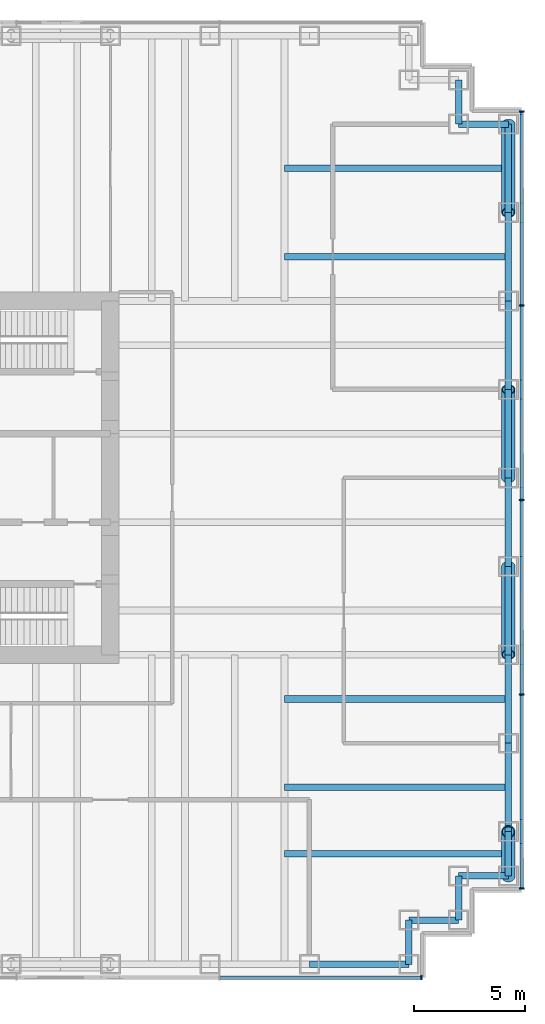
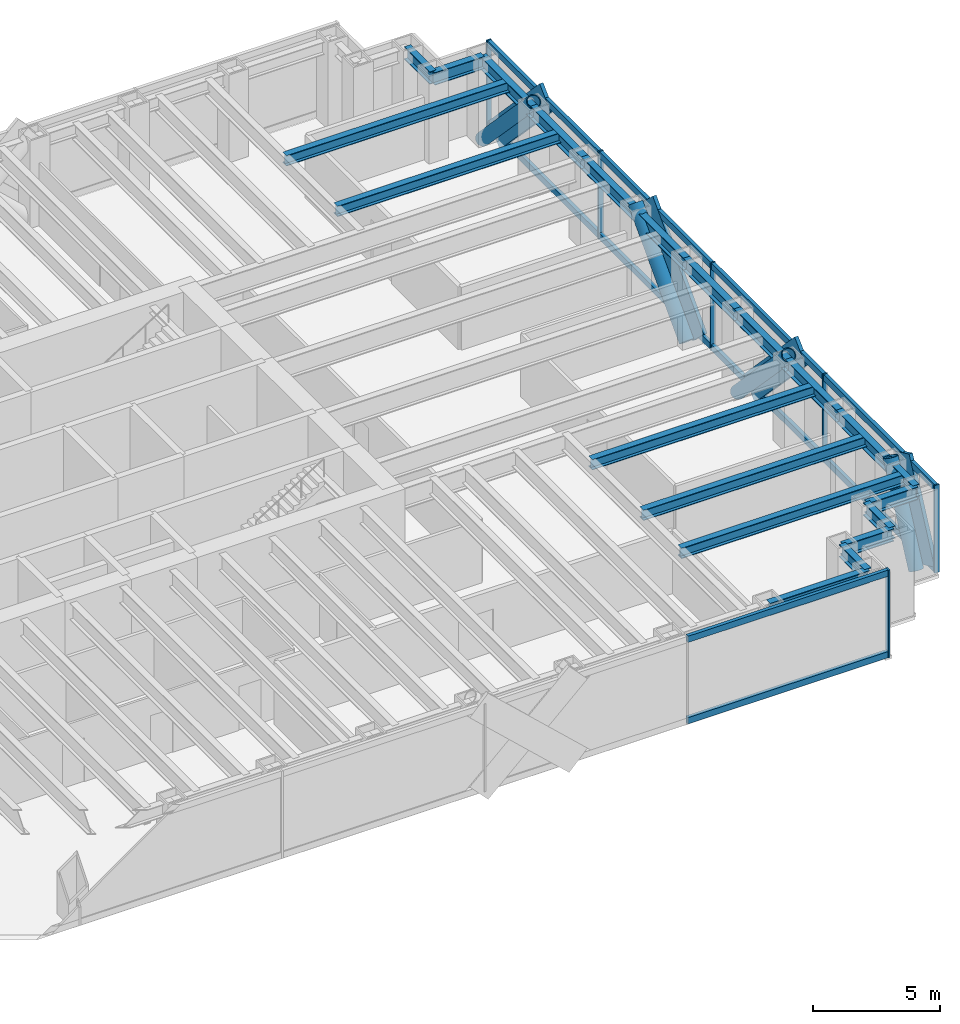
# One storey, part 7 of 15: 24 members, 21 beams, 2 elements without a shape of their own.
"""IFC4 building model written with IfcOpenShell, lengths in metres."""

import ifcopenshell
import ifcopenshell.guid

model = None  # the IFC model being written
_history = None  # IfcOwnerHistory: only IFC2X3 demands one
_inside = {}  # id of a spatial element -> (the spatial element, [elements in it])
_under = {}  # id of a project, library or spatial element -> (it, [spatial elements below it])
_declared = {}  # id of a project -> (the project, [libraries it declares])
_typed = {}  # id of a type object -> (the type object, [elements of that type])
_made_of = {}  # id of a material, layer set ... -> (it, [elements and type objects made of it])


def new_model(schema):
    """Start an empty IFC model of exactly this schema.

    Asked for "IFC4X3", IfcOpenShell would pick the latest addendum, in which some entities
    have other attributes; the version numbers below select the first issue.
    IFC2X3 requires an IfcOwnerHistory on every rooted entity: one is made here for all.
    """
    global model, _history
    if schema == "IFC4X3":
        model = ifcopenshell.file(schema_version=(4, 3, 0, 0))
    else:
        model = ifcopenshell.file(schema=schema)
    _inside.clear()
    _under.clear()
    _declared.clear()
    _typed.clear()
    _made_of.clear()
    _history = None
    if model.schema == "IFC2X3":
        org = make("IfcOrganization", Name="unknown")
        user = make(
            "IfcPersonAndOrganization",
            ThePerson=make("IfcPerson", FamilyName="unknown"),
            TheOrganization=org,
        )
        app = make(
            "IfcApplication",
            ApplicationDeveloper=org,
            Version="unknown",
            ApplicationFullName="unknown",
            ApplicationIdentifier="unknown",
        )
        _history = make(
            "IfcOwnerHistory",
            OwningUser=user,
            OwningApplication=app,
            ChangeAction="ADDED",
            CreationDate=0,
        )
    return model


def make(cls, **values):
    """One entity of the class cls with the attributes given. An attribute that is None is left unset."""
    return model.create_entity(
        cls, **{name: value for name, value in values.items() if value is not None}
    )


def rooted(cls, **values):
    """An entity with a GlobalId (a new one), such as an element, a storey or a relation."""
    return make(cls, GlobalId=ifcopenshell.guid.new(), OwnerHistory=_history, **values)


def si_unit(unit_type, name, prefix=None):
    """IfcSIUnit, for example si_unit("LENGTHUNIT", "METRE", prefix="MILLI")."""
    return make("IfcSIUnit", UnitType=unit_type, Prefix=prefix, Name=name)


def assignment(units):
    """IfcUnitAssignment: the units of a project."""
    return None if units is None else make("IfcUnitAssignment", Units=units)


def point(xyz):
    """IfcCartesianPoint."""
    return None if xyz is None else make("IfcCartesianPoint", Coordinates=xyz)


def direction(xyz):
    """IfcDirection."""
    return None if xyz is None else make("IfcDirection", DirectionRatios=xyz)


def frame(location, z_axis=None, x_axis=None):
    """IfcAxis2Placement3D, a coordinate frame: its origin and axes. An axis left out is left unset."""
    return make(
        "IfcAxis2Placement3D",
        Location=point(location),
        Axis=direction(z_axis),
        RefDirection=direction(x_axis),
    )


def frame_2d(location, x_axis=None):
    """IfcAxis2Placement2D, a coordinate frame in the plane: its origin and x axis."""
    return make(
        "IfcAxis2Placement2D", Location=point(location), RefDirection=direction(x_axis)
    )


def origin():
    """The frame at (0, 0, 0) with its axes left unset."""
    return frame((0.0, 0.0, 0.0))


def origin_2d():
    """The frame at (0, 0) in the plane with its x axis left unset."""
    return frame_2d((0.0, 0.0))


def place(relative_to, where):
    """IfcLocalPlacement: puts the frame where relative to a parent placement (None: the world)."""
    return make(
        "IfcLocalPlacement", PlacementRelTo=relative_to, RelativePlacement=where
    )


def context(
    kind, dimensions, precision=None, world=None, true_north=None, identifier=None
):
    """IfcGeometricRepresentationContext, for example the 3D "Model" context."""
    return make(
        "IfcGeometricRepresentationContext",
        ContextIdentifier=identifier,
        ContextType=kind,
        CoordinateSpaceDimension=dimensions,
        Precision=precision,
        WorldCoordinateSystem=world,
        TrueNorth=true_north,
    )


def subcontext(parent, identifier, kind, view, scale=None):
    """IfcGeometricRepresentationSubContext, for example "Body" below "Model"."""
    return make(
        "IfcGeometricRepresentationSubContext",
        ContextIdentifier=identifier,
        ContextType=kind,
        ParentContext=parent,
        TargetScale=scale,
        TargetView=view,
    )


def project(units=None, contexts=None):
    """IfcProject with its units and contexts."""
    return rooted(
        "IfcProject",
        Name="project",
        RepresentationContexts=contexts,
        UnitsInContext=assignment(units),
    )


def spatial(cls, under=None, at=None, **own):
    """A site, building, storey or space (cls), placed at a placement, below another one or the project."""
    s = rooted(cls, ObjectPlacement=at, **own)
    if under is not None:
        _under.setdefault(under.id(), (under, []))[1].append(s)
    return s


def profile(cls, at=None, kind="AREA", **sizes):
    """A parametric profile (cls). Its sizes go by their IFC names, for example OverallWidth=200.0."""
    return make(cls, ProfileType=kind, Position=at, **sizes)


def rectangle(**sizes):
    """IfcRectangleProfileDef."""
    return profile("IfcRectangleProfileDef", **sizes)


def hollow_circle(**sizes):
    """IfcCircleHollowProfileDef."""
    return profile("IfcCircleHollowProfileDef", **sizes)


def i_section(**sizes):
    """IfcIShapeProfileDef."""
    return profile("IfcIShapeProfileDef", **sizes)


def extrude(swept, where, along, depth):
    """IfcExtrudedAreaSolid: the profile swept, set in the frame where, extruded along a direction by depth."""
    return make(
        "IfcExtrudedAreaSolid",
        SweptArea=swept,
        Position=where,
        ExtrudedDirection=direction(along),
        Depth=depth,
    )


def shape(context_of_items, identifier, shape_type, items):
    """IfcShapeRepresentation: the items that make up one representation, for example the "Body"."""
    return make(
        "IfcShapeRepresentation",
        ContextOfItems=context_of_items,
        RepresentationIdentifier=identifier,
        RepresentationType=shape_type,
        Items=items,
    )


def material(Name=None, Category=None):
    """IfcMaterial."""
    return make("IfcMaterial", Name=Name, Category=Category)


def material_profile(
    of_material, cross_section, Name=None, Category=None, Priority=None
):
    """IfcMaterialProfile: a cross section and its material."""
    return make(
        "IfcMaterialProfile",
        Name=Name,
        Material=of_material,
        Profile=cross_section,
        Priority=Priority,
        Category=Category,
    )


def profile_set(profiles, Name=None, composite=None):
    """IfcMaterialProfileSet."""
    return make(
        "IfcMaterialProfileSet",
        Name=Name,
        MaterialProfiles=profiles,
        CompositeProfile=composite,
    )


def made_of(thing, what):
    """Note that an element or type object is made of a material, layer set ...; save() writes the relation."""
    if what is not None:
        _made_of.setdefault(what.id(), (what, []))[1].append(thing)
    return thing


def type_object(cls, material=None, **own):
    """A type object (cls), such as IfcWallType, which elements share."""
    return made_of(rooted(cls, **own), material)


def element(
    cls,
    number,
    at=None,
    inside=None,
    cuts=None,
    type_object=None,
    material=None,
    context=None,
    identifier="Body",
    shape_type=None,
    held_by="IfcProductDefinitionShape",
    body=None,
    shapes=None,
    **own,
):
    """One element of the class cls, such as IfcWall. Its Tag is "e" and its number.

    at: its placement. inside: the storey or other place that contains it. cuts: it is an
    opening in that element (IfcRelVoidsElement). A single representation is given by context,
    identifier, shape_type and body (its items); several are given by shapes. held_by: the class
    of the entity that holds the representations. save() writes the other relations.
    """
    e = rooted(cls, Tag="e%d" % number, ObjectPlacement=at, **own)
    if body is not None:
        shapes = [shape(context, identifier, shape_type, body)]
    if shapes is not None:
        e.Representation = make(held_by, Representations=shapes)
    if inside is not None:
        _inside.setdefault(inside.id(), (inside, []))[1].append(e)
    if cuts is not None:
        rooted(
            "IfcRelVoidsElement", RelatingBuildingElement=cuts, RelatedOpeningElement=e
        )
    if type_object is not None:
        _typed.setdefault(type_object.id(), (type_object, []))[1].append(e)
    return made_of(e, material)


def aggregate(whole, parts):
    """IfcRelAggregates: a whole, such as a stair, and the parts it consists of."""
    return rooted("IfcRelAggregates", RelatingObject=whole, RelatedObjects=parts)


def save(model, path):
    """Write the relations noted so far, then the file.

    IfcRelAggregates (storeys below a building ...), IfcRelContainedInSpatialStructure (elements
    in a storey), IfcRelDefinesByType, IfcRelAssociatesMaterial and IfcRelDeclares: one each for
    every whole, place, type object, material and project.
    """
    for whole, parts in _under.values():
        aggregate(whole, parts)
    for where, things in _inside.values():
        rooted(
            "IfcRelContainedInSpatialStructure",
            RelatedElements=things,
            RelatingStructure=where,
        )
    for kind, things in _typed.values():
        rooted("IfcRelDefinesByType", RelatedObjects=things, RelatingType=kind)
    for what, things in _made_of.values():
        rooted("IfcRelAssociatesMaterial", RelatedObjects=things, RelatingMaterial=what)
    for by, libraries in _declared.values():
        rooted("IfcRelDeclares", RelatingContext=by, RelatedDefinitions=libraries)
    model.write(path)


model = new_model("IFC4")

# Units and contexts
model_context = context("Model", 3, precision=1e-05, world=origin(), true_north=direction((0.0, 1.0)))
body_context = subcontext(model_context, "Body", "Model", "MODEL_VIEW")
ifc_project = project(units=[si_unit("LENGTHUNIT", "METRE"), si_unit("AREAUNIT", "SQUARE_METRE"), si_unit("VOLUMEUNIT", "CUBIC_METRE"), si_unit("PLANEANGLEUNIT", "RADIAN"), si_unit("MASSUNIT", "GRAM", prefix="KILO")], contexts=[model_context])

# Site, building, storey
site_placement = place(None, origin())
site = spatial("IfcSite", under=ifc_project, at=site_placement, CompositionType="ELEMENT")
building_placement = place(site_placement, origin())
building = spatial("IfcBuilding", under=site, at=building_placement, Name="Rheinbord Bourse Tower", CompositionType="ELEMENT")
storey_placement = place(building_placement, frame((0.0, 0.0, 257.199951171875)))
storey = spatial("IfcBuildingStorey", under=building, at=storey_placement, Name="L58", CompositionType="ELEMENT", Elevation=257.199951171875)

# Curtain wall, members
ifc_material_1 = material(Name="Dark glass and black aluminium", Category="aluminium")
curtain_wall_type = type_object("IfcCurtainWallType", Name="CW2 DARK GLASS CURTAIN WALL", PredefinedType="USERDEFINED", material=ifc_material_1)
curtain_wall_1_placement = place(storey_placement, origin())
curtain_wall_1 = element("IfcCurtainWall", 1, at=curtain_wall_1_placement, inside=storey, type_object=curtain_wall_type, Name="Curtain wall CW2 E L58", ObjectType="UNITISED CURTAIN WALL", PredefinedType="USERDEFINED")
ifc_material_2 = material(Name="Black anodised aluminium", Category="aluminium")
ifc_material_profile_1 = material_profile(ifc_material_2, rectangle(XDim=0.159912109375, YDim=1.2099609375, at=origin_2d()), Name="CW2 DIAGONAL MULLION 1210x160")
ifc_profile_set_1 = profile_set([ifc_material_profile_1], Name="Black anodised aluminium")
member_type_1 = type_object("IfcMemberType", Name="CW2 BLACK DIAGONAL MULLION", PredefinedType="USERDEFINED", material=ifc_profile_set_1)
member_1_placement = place(storey_placement, frame((72.60009765625, 24.0, 0.0), z_axis=(0.0, 0.689659376744, 0.724133926887), x_axis=(-1.0, 0.0, 0.0)))
member_1 = element("IfcMember", 2, at=member_1_placement, type_object=member_type_1, Name="CW2 diagonal mullion a", ObjectType="DIAGONAL MULLION", PredefinedType="USERDEFINED", context=body_context, shape_type="SweptSolid", body=[
    extrude(rectangle(XDim=0.159912109375, YDim=1.2099609375, at=origin_2d()), origin(), (0.0, 0.0, 1.0), 5.800048828125),
])
member_2_placement = place(storey_placement, frame((72.60009765625, 20.0, 0.0), z_axis=(0.0, -0.689659376744, 0.724133926887), x_axis=(1.0, 0.0, 0.0)))
member_2 = element("IfcMember", 3, at=member_2_placement, type_object=member_type_1, Name="CW2 diagonal mullion b", ObjectType="DIAGONAL MULLION", PredefinedType="USERDEFINED", context=body_context, shape_type="SweptSolid", body=[
    extrude(rectangle(XDim=0.159912109375, YDim=1.2099609375, at=origin_2d()), origin(), (0.0, 0.0, 1.0), 5.800048828125),
])
member_3_placement = place(storey_placement, frame((72.60009765625, 40.0, 0.0), z_axis=(0.0, -0.689659376744, 0.724133926887), x_axis=(1.0, 0.0, 0.0)))
member_3 = element("IfcMember", 4, at=member_3_placement, type_object=member_type_1, Name="CW2 diagonal mullion c", ObjectType="DIAGONAL MULLION", PredefinedType="USERDEFINED", context=body_context, shape_type="SweptSolid", body=[
    extrude(rectangle(XDim=0.159912109375, YDim=1.2099609375, at=origin_2d()), origin(), (0.0, 0.0, 1.0), 5.800048828125),
])
member_4_placement = place(storey_placement, frame((72.60009765625, 6.0, 0.0), z_axis=(0.0, 0.429937654825, 0.902858578607), x_axis=(-1.0, 0.0, 0.0)))
member_4 = element("IfcMember", 5, at=member_4_placement, type_object=member_type_1, Name="CW2 diagonal mullion d", ObjectType="DIAGONAL MULLION", PredefinedType="USERDEFINED", context=body_context, shape_type="SweptSolid", body=[
    extrude(rectangle(XDim=0.159912109375, YDim=1.2099609375, at=origin_2d()), origin(), (0.0, 0.0, 1.0), 4.65185546875),
])

# Curtain wall, member
curtain_wall_2_placement = place(storey_placement, origin())
curtain_wall_2 = element("IfcCurtainWall", 6, at=curtain_wall_2_placement, inside=storey, type_object=curtain_wall_type, Name="Curtain wall CW2 S L58", ObjectType="UNITISED CURTAIN WALL", PredefinedType="USERDEFINED")
ifc_material_3 = material(Name="Black anodised aluminium", Category="aluminium")
ifc_material_profile_2 = material_profile(ifc_material_3, rectangle(XDim=0.219970703125, YDim=0.070068359375, at=origin_2d()), Name="CW2 MULLION 70x220")
ifc_profile_set_2 = profile_set([ifc_material_profile_2], Name="Black anodised aluminium")
member_type_2 = type_object("IfcMemberType", Name="CW2 BLACK MULLION", PredefinedType="MULLION", material=ifc_profile_set_2)
member_5_placement = place(storey_placement, frame((68.06494140625, 1.39990234375, 0.0), z_axis=(0.0, 0.0, 1.0), x_axis=(0.0, 1.0, 0.0)))
member_5 = element("IfcMember", 7, at=member_5_placement, type_object=member_type_2, Name="CW2 mullion 8", PredefinedType="MULLION", context=body_context, shape_type="SweptSolid", body=[
    extrude(rectangle(XDim=0.219970703125, YDim=0.070068359375, at=origin_2d()), origin(), (0.0, 0.0, 1.0), 4.199951171875),
])

# Member
member_6_placement = place(storey_placement, frame((72.60009765625, 5.43505859375, 0.0), z_axis=(0.0, 0.0, 1.0), x_axis=(-1.0, 0.0, 0.0)))
member_6 = element("IfcMember", 8, at=member_6_placement, type_object=member_type_2, Name="CW2 mullion 1", PredefinedType="MULLION", context=body_context, shape_type="SweptSolid", body=[
    extrude(rectangle(XDim=0.219970703125, YDim=0.070068359375, at=origin_2d()), origin(), (0.0, 0.0, 1.0), 4.199951171875),
])

member_7_placement = place(storey_placement, frame((72.60009765625, 14.199951171875, 0.0), z_axis=(0.0, 0.0, 1.0), x_axis=(-1.0, 0.0, 0.0)))
member_7 = element("IfcMember", 9, at=member_7_placement, type_object=member_type_2, Name="CW2 mullion 2", PredefinedType="MULLION", context=body_context, shape_type="SweptSolid", body=[
    extrude(rectangle(XDim=0.219970703125, YDim=0.070068359375, at=origin_2d()), origin(), (0.0, 0.0, 1.0), 4.199951171875),
])

member_8_placement = place(storey_placement, frame((72.60009765625, 23.0, 0.0), z_axis=(0.0, 0.0, 1.0), x_axis=(-1.0, 0.0, 0.0)))
member_8 = element("IfcMember", 10, at=member_8_placement, type_object=member_type_2, Name="CW2 mullion 3", PredefinedType="MULLION", context=body_context, shape_type="SweptSolid", body=[
    extrude(rectangle(XDim=0.219970703125, YDim=0.070068359375, at=origin_2d()), origin(), (0.0, 0.0, 1.0), 4.199951171875),
])

member_9_placement = place(storey_placement, frame((72.60009765625, 31.800048828125, 0.0), z_axis=(0.0, 0.0, 1.0), x_axis=(-1.0, 0.0, 0.0)))
member_9 = element("IfcMember", 11, at=member_9_placement, type_object=member_type_2, Name="CW2 mullion 4", PredefinedType="MULLION", context=body_context, shape_type="SweptSolid", body=[
    extrude(rectangle(XDim=0.219970703125, YDim=0.070068359375, at=origin_2d()), origin(), (0.0, 0.0, 1.0), 4.199951171875),
])

member_10_placement = place(storey_placement, frame((72.60009765625, 40.56494140625, 0.0), z_axis=(0.0, 0.0, 1.0), x_axis=(-1.0, 0.0, 0.0)))
member_10 = element("IfcMember", 12, at=member_10_placement, type_object=member_type_2, Name="CW2 mullion 5", PredefinedType="MULLION", context=body_context, shape_type="SweptSolid", body=[
    extrude(rectangle(XDim=0.219970703125, YDim=0.070068359375, at=origin_2d()), origin(), (0.0, 0.0, 1.0), 4.199951171875),
])

ifc_material_4 = material(Name="Black anodised aluminium", Category="aluminium")
ifc_material_profile_3 = material_profile(ifc_material_4, rectangle(XDim=0.159912109375, YDim=0.300048828125, at=origin_2d()), Name="CW2 TRANSOM 300x160")
ifc_profile_set_3 = profile_set([ifc_material_profile_3], Name="Black anodised aluminium")
member_type_3 = type_object("IfcMemberType", Name="CW2 BLACK TRANSOM", PredefinedType="USERDEFINED", material=ifc_profile_set_3)
member_11_placement = place(storey_placement, frame((58.963623046875, 1.39990234375, 0.150146484375), z_axis=(1.0, 0.0, 0.0), x_axis=(0.0, 1.0, 0.0)))
member_11 = element("IfcMember", 13, at=member_11_placement, type_object=member_type_3, Name="CW2 transom 7.1", ObjectType="TRANSOM", PredefinedType="USERDEFINED", context=body_context, shape_type="SweptSolid", body=[
    extrude(rectangle(XDim=0.159912109375, YDim=0.300048828125, at=origin_2d()), origin(), (0.0, 0.0, 1.0), 9.06640625),
])

member_12_placement = place(storey_placement, frame((58.963623046875, 1.39990234375, 4.050048828125), z_axis=(1.0, 0.0, 0.0), x_axis=(0.0, 1.0, 0.0)))
member_12 = element("IfcMember", 14, at=member_12_placement, type_object=member_type_3, Name="CW2 transom 7.2", ObjectType="TRANSOM", PredefinedType="USERDEFINED", context=body_context, shape_type="SweptSolid", body=[
    extrude(rectangle(XDim=0.159912109375, YDim=0.300048828125, at=origin_2d()), origin(), (0.0, 0.0, 1.0), 9.06640625),
])

aggregate(curtain_wall_2, [member_5, member_11, member_12])

member_13_placement = place(storey_placement, frame((72.60009765625, 5.469970703125, 0.150146484375), z_axis=(0.0, 1.0, 0.0), x_axis=(-1.0, 0.0, 0.0)))
member_13 = element("IfcMember", 15, at=member_13_placement, type_object=member_type_3, Name="CW2 transom 1.1", ObjectType="TRANSOM", PredefinedType="USERDEFINED", context=body_context, shape_type="SweptSolid", body=[
    extrude(rectangle(XDim=0.159912109375, YDim=0.300048828125, at=origin_2d()), origin(), (0.0, 0.0, 1.0), 8.695068359375),
])

member_14_placement = place(storey_placement, frame((72.60009765625, 5.469970703125, 4.050048828125), z_axis=(0.0, 1.0, 0.0), x_axis=(-1.0, 0.0, 0.0)))
member_14 = element("IfcMember", 16, at=member_14_placement, type_object=member_type_3, Name="CW2 transom 1.2", ObjectType="TRANSOM", PredefinedType="USERDEFINED", context=body_context, shape_type="SweptSolid", body=[
    extrude(rectangle(XDim=0.159912109375, YDim=0.300048828125, at=origin_2d()), origin(), (0.0, 0.0, 1.0), 8.695068359375),
])

member_15_placement = place(storey_placement, frame((72.60009765625, 14.235107421875, 0.150146484375), z_axis=(0.0, 1.0, 0.0), x_axis=(-1.0, 0.0, 0.0)))
member_15 = element("IfcMember", 17, at=member_15_placement, type_object=member_type_3, Name="CW2 transom 2.1", ObjectType="TRANSOM", PredefinedType="USERDEFINED", context=body_context, shape_type="SweptSolid", body=[
    extrude(rectangle(XDim=0.159912109375, YDim=0.300048828125, at=origin_2d()), origin(), (0.0, 0.0, 1.0), 8.72998046875),
])

member_16_placement = place(storey_placement, frame((72.60009765625, 14.235107421875, 4.050048828125), z_axis=(0.0, 1.0, 0.0), x_axis=(-1.0, 0.0, 0.0)))
member_16 = element("IfcMember", 18, at=member_16_placement, type_object=member_type_3, Name="CW2 transom 2.2", ObjectType="TRANSOM", PredefinedType="USERDEFINED", context=body_context, shape_type="SweptSolid", body=[
    extrude(rectangle(XDim=0.159912109375, YDim=0.300048828125, at=origin_2d()), origin(), (0.0, 0.0, 1.0), 8.72998046875),
])

member_17_placement = place(storey_placement, frame((72.60009765625, 23.034912109375, 0.150146484375), z_axis=(0.0, 1.0, 0.0), x_axis=(-1.0, 0.0, 0.0)))
member_17 = element("IfcMember", 19, at=member_17_placement, type_object=member_type_3, Name="CW2 transom 3.1", ObjectType="TRANSOM", PredefinedType="USERDEFINED", context=body_context, shape_type="SweptSolid", body=[
    extrude(rectangle(XDim=0.159912109375, YDim=0.300048828125, at=origin_2d()), origin(), (0.0, 0.0, 1.0), 8.72998046875),
])

member_18_placement = place(storey_placement, frame((72.60009765625, 23.034912109375, 4.050048828125), z_axis=(0.0, 1.0, 0.0), x_axis=(-1.0, 0.0, 0.0)))
member_18 = element("IfcMember", 20, at=member_18_placement, type_object=member_type_3, Name="CW2 transom 3.2", ObjectType="TRANSOM", PredefinedType="USERDEFINED", context=body_context, shape_type="SweptSolid", body=[
    extrude(rectangle(XDim=0.159912109375, YDim=0.300048828125, at=origin_2d()), origin(), (0.0, 0.0, 1.0), 8.72998046875),
])

member_19_placement = place(storey_placement, frame((72.60009765625, 31.8349609375, 0.150146484375), z_axis=(0.0, 1.0, 0.0), x_axis=(-1.0, 0.0, 0.0)))
member_19 = element("IfcMember", 21, at=member_19_placement, type_object=member_type_3, Name="CW2 transom 4.1", ObjectType="TRANSOM", PredefinedType="USERDEFINED", context=body_context, shape_type="SweptSolid", body=[
    extrude(rectangle(XDim=0.159912109375, YDim=0.300048828125, at=origin_2d()), origin(), (0.0, 0.0, 1.0), 8.695068359375),
])

member_20_placement = place(storey_placement, frame((72.60009765625, 31.8349609375, 4.050048828125), z_axis=(0.0, 1.0, 0.0), x_axis=(-1.0, 0.0, 0.0)))
member_20 = element("IfcMember", 22, at=member_20_placement, type_object=member_type_3, Name="CW2 transom 4.2", ObjectType="TRANSOM", PredefinedType="USERDEFINED", context=body_context, shape_type="SweptSolid", body=[
    extrude(rectangle(XDim=0.159912109375, YDim=0.300048828125, at=origin_2d()), origin(), (0.0, 0.0, 1.0), 8.695068359375),
])

aggregate(curtain_wall_1, [member_6, member_7, member_8, member_9, member_10, member_13, member_14, member_15, member_16, member_17, member_18, member_19, member_20, member_1, member_2, member_3, member_4])

# Members
ifc_material_5 = material(Name="Steel S460", Category="steel")
ifc_material_profile_4 = material_profile(ifc_material_5, hollow_circle(Radius=0.304931640625, WallThickness=0.0400390625, at=origin_2d()), Name="CHS 610x40")
ifc_profile_set_4 = profile_set([ifc_material_profile_4], Name="Steel S460")
member_type_4 = type_object("IfcMemberType", Name="MEGABRACE CHS 610x40", PredefinedType="BRACE", material=ifc_profile_set_4)
for number, where, z_axis, x_axis, name in (
    (23, (72.0, 24.0, 0.0), (0.0, 0.689659376744, 0.724133926887), (-1.0, 0.0, 0.0), "Megabrace E face line a L58"),
    (24, (72.0, 20.0, 0.0), (0.0, -0.689659376744, 0.724133926887), (1.0, 0.0, 0.0), "Megabrace E face line b L58"),
    (25, (72.0, 40.0, 0.0), (0.0, -0.689659376744, 0.724133926887), (1.0, 0.0, 0.0), "Megabrace E face line c L58"),
):
    element("IfcMember", number, at=place(storey_placement, frame(where, z_axis=z_axis, x_axis=x_axis)), inside=storey, type_object=member_type_4, Name=name, PredefinedType="BRACE", context=body_context, shape_type="SweptSolid", body=[
        extrude(hollow_circle(Radius=0.304931640625, WallThickness=0.0400390625, at=origin_2d()), origin(), (0.0, 0.0, 1.0), 5.800048828125),
    ])
member_21_placement = place(storey_placement, frame((72.0, 6.0, 0.0), z_axis=(0.0, 0.429937654825, 0.902858578607), x_axis=(-1.0, 0.0, 0.0)))
element("IfcMember", 26, at=member_21_placement, inside=storey, type_object=member_type_4, Name="Megabrace E face line d L58", PredefinedType="BRACE", context=body_context, shape_type="SweptSolid", body=[
    extrude(hollow_circle(Radius=0.304931640625, WallThickness=0.0400390625, at=origin_2d()), origin(), (0.0, 0.0, 1.0), 4.65185546875),
])

# Beams
ifc_material_6 = material(Name="Steel S460", Category="steel")
ifc_material_profile_5 = material_profile(ifc_material_6, i_section(OverallWidth=0.300048828125, OverallDepth=0.60009765625, WebThickness=0.015380859375, FlangeThickness=0.030029296875, at=origin_2d()), Name="HEB 600")
ifc_profile_set_5 = profile_set([ifc_material_profile_5], Name="Steel S460")
beam_type_1 = type_object("IfcBeamType", Name="SPANDREL HEB 600", PredefinedType="SPANDREL", material=ifc_profile_set_5)
beam_1_placement = place(storey_placement, frame((63.0, 2.0, 3.739990234375), z_axis=(1.0, 0.0, 0.0), x_axis=(0.0, 1.0, 0.0)))
element("IfcBeam", 27, at=beam_1_placement, inside=storey, type_object=beam_type_1, Name="Spandrel S-63-SE-E under L59", PredefinedType="SPANDREL", context=body_context, shape_type="SweptSolid", body=[
    extrude(i_section(OverallWidth=0.300048828125, OverallDepth=0.60009765625, WebThickness=0.015380859375, FlangeThickness=0.030029296875, at=origin_2d()), origin(), (0.0, 0.0, 1.0), 4.5),
])
beam_2_placement = place(storey_placement, frame((67.5, 2.0, 3.739990234375), z_axis=(0.0, 1.0, 0.0), x_axis=(-1.0, 0.0, 0.0)))
element("IfcBeam", 28, at=beam_2_placement, inside=storey, type_object=beam_type_1, Name="Spandrel SE-E-SE-D under L59", PredefinedType="SPANDREL", context=body_context, shape_type="SweptSolid", body=[
    extrude(i_section(OverallWidth=0.300048828125, OverallDepth=0.60009765625, WebThickness=0.015380859375, FlangeThickness=0.030029296875, at=origin_2d()), origin(), (0.0, 0.0, 1.0), 2.0),
])
beam_3_placement = place(storey_placement, frame((67.5, 4.0, 3.739990234375), z_axis=(1.0, 0.0, 0.0), x_axis=(0.0, 1.0, 0.0)))
element("IfcBeam", 29, at=beam_3_placement, inside=storey, type_object=beam_type_1, Name="Spandrel SE-D-SE-C under L59", PredefinedType="SPANDREL", context=body_context, shape_type="SweptSolid", body=[
    extrude(i_section(OverallWidth=0.300048828125, OverallDepth=0.60009765625, WebThickness=0.015380859375, FlangeThickness=0.030029296875, at=origin_2d()), origin(), (0.0, 0.0, 1.0), 2.25),
])
beam_4_placement = place(storey_placement, frame((69.75, 4.0, 3.739990234375), z_axis=(0.0, 1.0, 0.0), x_axis=(-1.0, 0.0, 0.0)))
element("IfcBeam", 30, at=beam_4_placement, inside=storey, type_object=beam_type_1, Name="Spandrel SE-C-SE-B under L59", PredefinedType="SPANDREL", context=body_context, shape_type="SweptSolid", body=[
    extrude(i_section(OverallWidth=0.300048828125, OverallDepth=0.60009765625, WebThickness=0.015380859375, FlangeThickness=0.030029296875, at=origin_2d()), origin(), (0.0, 0.0, 1.0), 2.0),
])
beam_5_placement = place(storey_placement, frame((69.75, 6.0, 3.739990234375), z_axis=(1.0, 0.0, 0.0), x_axis=(0.0, 1.0, 0.0)))
element("IfcBeam", 31, at=beam_5_placement, inside=storey, type_object=beam_type_1, Name="Spandrel SE-B-SE-A under L59", PredefinedType="SPANDREL", context=body_context, shape_type="SweptSolid", body=[
    extrude(i_section(OverallWidth=0.300048828125, OverallDepth=0.60009765625, WebThickness=0.015380859375, FlangeThickness=0.030029296875, at=origin_2d()), origin(), (0.0, 0.0, 1.0), 2.25),
])
beam_6_placement = place(storey_placement, frame((72.0, 6.0, 3.739990234375), z_axis=(0.0, 1.0, 0.0), x_axis=(-1.0, 0.0, 0.0)))
element("IfcBeam", 32, at=beam_6_placement, inside=storey, type_object=beam_type_1, Name="Spandrel SE-A-E-8 under L59", PredefinedType="SPANDREL", context=body_context, shape_type="SweptSolid", body=[
    extrude(i_section(OverallWidth=0.300048828125, OverallDepth=0.60009765625, WebThickness=0.015380859375, FlangeThickness=0.030029296875, at=origin_2d()), origin(), (0.0, 0.0, 1.0), 2.0),
])
for number, where, z_axis, x_axis, name in (
    (33, (72.0, 8.0, 3.739990234375), (0.0, 1.0, 0.0), (-1.0, 0.0, 0.0), "Spandrel E-8-E-12 under L59"),
    (34, (72.0, 12.0, 3.739990234375), (0.0, 1.0, 0.0), (-1.0, 0.0, 0.0), "Spandrel E-12-E-16 under L59"),
    (35, (72.0, 16.0, 3.739990234375), (0.0, 1.0, 0.0), (-1.0, 0.0, 0.0), "Spandrel E-16-E-20 under L59"),
    (36, (72.0, 20.0, 3.739990234375), (0.0, 1.0, 0.0), (-1.0, 0.0, 0.0), "Spandrel E-20-E-24 under L59"),
    (37, (72.0, 24.0, 3.739990234375), (0.0, 1.0, 0.0), (-1.0, 0.0, 0.0), "Spandrel E-24-E-28 under L59"),
    (38, (72.0, 28.0, 3.739990234375), (0.0, 1.0, 0.0), (-1.0, 0.0, 0.0), "Spandrel E-28-E-32 under L59"),
    (39, (72.0, 32.0, 3.739990234375), (0.0, 1.0, 0.0), (-1.0, 0.0, 0.0), "Spandrel E-32-E-36 under L59"),
    (40, (72.0, 36.0, 3.739990234375), (0.0, 1.0, 0.0), (-1.0, 0.0, 0.0), "Spandrel E-36-NE-A under L59"),
):
    element("IfcBeam", number, at=place(storey_placement, frame(where, z_axis=z_axis, x_axis=x_axis)), inside=storey, type_object=beam_type_1, Name=name, PredefinedType="SPANDREL", context=body_context, shape_type="SweptSolid", body=[
        extrude(i_section(OverallWidth=0.300048828125, OverallDepth=0.60009765625, WebThickness=0.015380859375, FlangeThickness=0.030029296875, at=origin_2d()), origin(), (0.0, 0.0, 1.0), 4.0),
    ])
beam_7_placement = place(storey_placement, frame((72.0, 40.0, 3.739990234375), z_axis=(-1.0, 0.0, 0.0), x_axis=(0.0, -1.0, 0.0)))
element("IfcBeam", 41, at=beam_7_placement, inside=storey, type_object=beam_type_1, Name="Spandrel NE-A-NE-B under L59", PredefinedType="SPANDREL", context=body_context, shape_type="SweptSolid", body=[
    extrude(i_section(OverallWidth=0.300048828125, OverallDepth=0.60009765625, WebThickness=0.015380859375, FlangeThickness=0.030029296875, at=origin_2d()), origin(), (0.0, 0.0, 1.0), 2.25),
])
beam_8_placement = place(storey_placement, frame((69.75, 40.0, 3.739990234375), z_axis=(0.0, 1.0, 0.0), x_axis=(-1.0, 0.0, 0.0)))
element("IfcBeam", 42, at=beam_8_placement, inside=storey, type_object=beam_type_1, Name="Spandrel NE-B-NE-C under L59", PredefinedType="SPANDREL", context=body_context, shape_type="SweptSolid", body=[
    extrude(i_section(OverallWidth=0.300048828125, OverallDepth=0.60009765625, WebThickness=0.015380859375, FlangeThickness=0.030029296875, at=origin_2d()), origin(), (0.0, 0.0, 1.0), 2.0),
])
ifc_material_7 = material(Name="Steel S460", Category="steel")
ifc_material_profile_6 = material_profile(ifc_material_7, i_section(OverallWidth=0.300048828125, OverallDepth=0.5, WebThickness=0.014404296875, FlangeThickness=0.028076171875, at=origin_2d()), Name="HEB 500")
ifc_profile_set_6 = profile_set([ifc_material_profile_6], Name="Steel S460")
beam_type_2 = type_object("IfcBeamType", Name="TIE BEAM HEB 500", PredefinedType="JOIST", material=ifc_profile_set_6)
for number, where, z_axis, x_axis, name in (
    (43, (61.875, 7.0, 3.7900390625), (1.0, 0.0, 0.0), (0.0, 1.0, 0.0), "Tie east 7 L59"),
    (44, (61.875, 10.0, 3.7900390625), (1.0, 0.0, 0.0), (0.0, 1.0, 0.0), "Tie east 10 L59"),
    (45, (61.875, 14.0, 3.7900390625), (1.0, 0.0, 0.0), (0.0, 1.0, 0.0), "Tie east 14 L59"),
    (46, (61.875, 34.0, 3.7900390625), (1.0, 0.0, 0.0), (0.0, 1.0, 0.0), "Tie east 34 L59"),
    (47, (61.875, 38.0, 3.7900390625), (1.0, 0.0, 0.0), (0.0, 1.0, 0.0), "Tie east 38 L59"),
):
    element("IfcBeam", number, at=place(storey_placement, frame(where, z_axis=z_axis, x_axis=x_axis)), inside=storey, type_object=beam_type_2, Name=name, PredefinedType="JOIST", context=body_context, shape_type="SweptSolid", body=[
        extrude(i_section(OverallWidth=0.300048828125, OverallDepth=0.5, WebThickness=0.014404296875, FlangeThickness=0.028076171875, at=origin_2d()), origin(), (0.0, 0.0, 1.0), 10.125),
    ])

save(model, "model.ifc")
